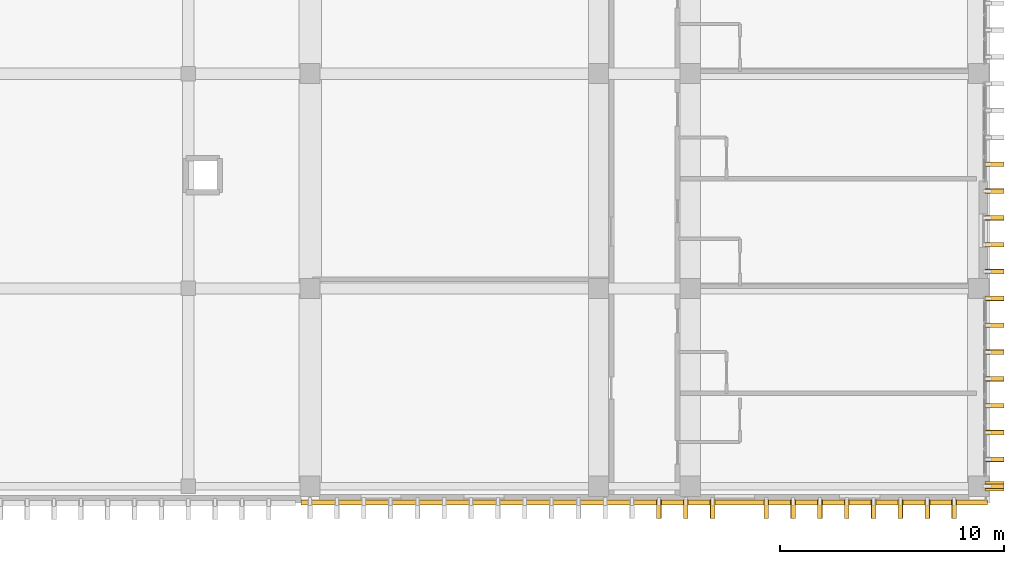
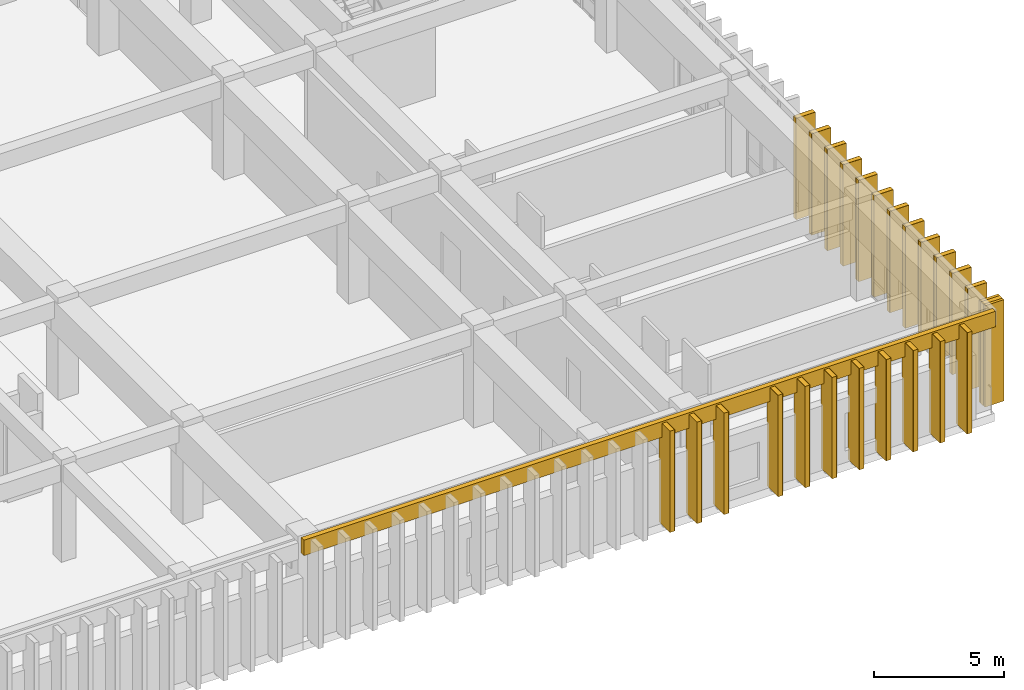
# One storey, part 93 of 101: 25 coverings, 24 shading devices.
"""IFC4 building model written with IfcOpenShell, lengths in metres."""

from ifc_helpers import new_model, si_unit, direction, frame, origin, origin_2d, place, context, subcontext, project, spatial, rectangle, extrude, material, layer, layer_set, type_object, element, save


model = new_model("IFC4")

# Units and contexts
model_context = context("Model", 3, precision=1e-05, world=origin(), true_north=direction((0.0, 1.0)))
body_context = subcontext(model_context, "Body", "Model", "MODEL_VIEW")
ifc_project = project(units=[si_unit("LENGTHUNIT", "METRE"), si_unit("AREAUNIT", "SQUARE_METRE"), si_unit("VOLUMEUNIT", "CUBIC_METRE"), si_unit("PLANEANGLEUNIT", "RADIAN"), si_unit("MASSUNIT", "GRAM", prefix="KILO")], contexts=[model_context])

# Site, building, storey
site_placement = place(None, origin())
site = spatial("IfcSite", under=ifc_project, at=site_placement, CompositionType="ELEMENT")
building_placement = place(site_placement, origin())
building = spatial("IfcBuilding", under=site, at=building_placement, Name="Nakhvara Creek Congress Hotel", CompositionType="ELEMENT")
storey_placement = place(building_placement, frame((0.0, 0.0, 16.199951171875)))
storey = spatial("IfcBuildingStorey", under=building, at=storey_placement, Name="L03", CompositionType="ELEMENT", Elevation=16.199951171875)

# Coverings
ifc_material_1 = material(Name="Honed pale Omani limestone architectural cladding", Category="masonry")
ifc_layer_1 = layer(ifc_material_1, 0.219970703125)
ifc_layer_set_1 = layer_set([ifc_layer_1], Name="Honed pale Omani limestone architectural cladding")
covering_type_1 = type_object("IfcCoveringType", Name="COV-FIN-850", PredefinedType="CLADDING", material=ifc_layer_set_1)
covering_1_placement = place(storey_placement, frame((180.054931640625, 0.75, 0.0), z_axis=(0.0, 0.0, 1.0), x_axis=(0.0, 1.0, 0.0)))
element("IfcCovering", 1, at=covering_1_placement, inside=storey, type_object=covering_type_1, Name="Pale Limestone Fin Cladding CF01-1027", PredefinedType="CLADDING", context=body_context, shape_type="SweptSolid", body=[
    extrude(rectangle(XDim=0.43994140625, YDim=0.85009765625, at=origin_2d()), origin(), (0.0, 0.0, 1.0), 4.760009765625),
])
for number, where, z_axis, x_axis, name in (
    (2, (180.054931640625, 1.949951171875, 0.0), (0.0, 0.0, 1.0), (0.0, 1.0, 0.0), "Pale Limestone Fin Cladding CF01-1028"),
    (3, (180.054931640625, 3.14990234375, 0.0), (0.0, 0.0, 1.0), (0.0, 1.0, 0.0), "Pale Limestone Fin Cladding CF01-1029"),
    (4, (180.054931640625, 4.35009765625, 0.0), (0.0, 0.0, 1.0), (0.0, 1.0, 0.0), "Pale Limestone Fin Cladding CF01-1030"),
    (5, (180.054931640625, 5.550048828125, 0.0), (0.0, 0.0, 1.0), (0.0, 1.0, 0.0), "Pale Limestone Fin Cladding CF01-1031"),
    (6, (180.054931640625, 6.75, 0.0), (0.0, 0.0, 1.0), (0.0, 1.0, 0.0), "Pale Limestone Fin Cladding CF01-1032"),
    (7, (180.054931640625, 7.949951171875, 0.0), (0.0, 0.0, 1.0), (0.0, 1.0, 0.0), "Pale Limestone Fin Cladding CF01-1033"),
    (8, (180.054931640625, 9.14990234375, 0.0), (0.0, 0.0, 1.0), (0.0, 1.0, 0.0), "Pale Limestone Fin Cladding CF01-1034"),
    (9, (180.054931640625, 10.35009765625, 0.0), (0.0, 0.0, 1.0), (0.0, 1.0, 0.0), "Pale Limestone Fin Cladding CF01-1035"),
    (10, (180.054931640625, 11.550048828125, 0.0), (0.0, 0.0, 1.0), (0.0, 1.0, 0.0), "Pale Limestone Fin Cladding CF01-1036"),
    (11, (180.054931640625, 12.75, 0.0), (0.0, 0.0, 1.0), (0.0, 1.0, 0.0), "Pale Limestone Fin Cladding CF01-1037"),
    (12, (180.054931640625, 13.949951171875, 0.0), (0.0, 0.0, 1.0), (0.0, 1.0, 0.0), "Pale Limestone Fin Cladding CF01-1038"),
    (13, (180.054931640625, 15.14990234375, 0.0), (0.0, 0.0, 1.0), (0.0, 1.0, 0.0), "Pale Limestone Fin Cladding CF01-1039"),
    (14, (165.050048828125, -0.264892578125, 0.0), (0.0, 0.0, 1.0), (1.0, 0.0, 0.0), "Pale Limestone Fin Cladding CF01-1180"),
    (15, (166.25, -0.264892578125, 0.0), (0.0, 0.0, 1.0), (1.0, 0.0, 0.0), "Pale Limestone Fin Cladding CF01-1182"),
    (16, (167.449951171875, -0.264892578125, 0.0), (0.0, 0.0, 1.0), (1.0, 0.0, 0.0), "Pale Limestone Fin Cladding CF01-1184"),
    (17, (169.85009765625, -0.264892578125, 0.0), (0.0, 0.0, 1.0), (1.0, 0.0, 0.0), "Pale Limestone Fin Cladding CF01-1187"),
    (18, (171.050048828125, -0.264892578125, 0.0), (0.0, 0.0, 1.0), (1.0, 0.0, 0.0), "Pale Limestone Fin Cladding CF01-1189"),
    (19, (172.25, -0.264892578125, 0.0), (0.0, 0.0, 1.0), (1.0, 0.0, 0.0), "Pale Limestone Fin Cladding CF01-1191"),
    (20, (173.449951171875, -0.264892578125, 0.0), (0.0, 0.0, 1.0), (1.0, 0.0, 0.0), "Pale Limestone Fin Cladding CF01-1193"),
    (21, (174.64990234375, -0.264892578125, 0.0), (0.0, 0.0, 1.0), (1.0, 0.0, 0.0), "Pale Limestone Fin Cladding CF01-1195"),
    (22, (175.85009765625, -0.264892578125, 0.0), (0.0, 0.0, 1.0), (1.0, 0.0, 0.0), "Pale Limestone Fin Cladding CF01-1196"),
    (23, (177.050048828125, -0.264892578125, 0.0), (0.0, 0.0, 1.0), (1.0, 0.0, 0.0), "Pale Limestone Fin Cladding CF01-1198"),
    (24, (178.25, -0.264892578125, 0.0), (0.0, 0.0, 1.0), (1.0, 0.0, 0.0), "Pale Limestone Fin Cladding CF01-1200"),
):
    element("IfcCovering", number, at=place(storey_placement, frame(where, z_axis=z_axis, x_axis=x_axis)), inside=storey, type_object=covering_type_1, Name=name, PredefinedType="CLADDING", context=body_context, shape_type="SweptSolid", body=[
        extrude(rectangle(XDim=0.219970703125, YDim=0.85009765625, at=origin_2d()), origin(), (0.0, 0.0, 1.0), 4.760009765625),
    ])
ifc_layer_2 = layer(ifc_material_1, 0.179931640625)
ifc_layer_set_2 = layer_set([ifc_layer_2], Name="Honed pale Omani limestone architectural cladding")
covering_type_2 = type_object("IfcCoveringType", Name="COV-SPN-180", PredefinedType="CLADDING", material=ifc_layer_set_2)
covering_2_placement = place(storey_placement, frame((164.39990234375, 0.030029296875, 4.110107421875), z_axis=(0.0, 0.0, 1.0), x_axis=(1.0, 0.0, 0.0)))
element("IfcCovering", 25, at=covering_2_placement, inside=storey, type_object=covering_type_2, Name="Pale Limestone Spandrel Band CF02-0056", PredefinedType="CLADDING", context=body_context, shape_type="SweptSolid", body=[
    extrude(rectangle(XDim=30.699951171875, YDim=0.219970703125, at=origin_2d()), origin(), (0.0, 0.0, 1.0), 0.72998046875),
])

# Shading devices
ifc_material_2 = material(Name="Honed pale Omani limestone cladding on stainless steel spine", Category="masonry")
shading_device_type = type_object("IfcShadingDeviceType", Name="SHD-FIN-850X4700", PredefinedType="USERDEFINED", material=ifc_material_2)
for number, where, z_axis, x_axis, name in (
    (26, (180.054931640625, 0.75, 0.0), (0.0, 0.0, 1.0), (0.0, 1.0, 0.0), "Limestone Solar Fin FN02-0892"),
    (27, (180.054931640625, 1.949951171875, 0.0), (0.0, 0.0, 1.0), (0.0, 1.0, 0.0), "Limestone Solar Fin FN02-0893"),
    (28, (180.054931640625, 3.14990234375, 0.0), (0.0, 0.0, 1.0), (0.0, 1.0, 0.0), "Limestone Solar Fin FN02-0894"),
    (29, (180.054931640625, 4.35009765625, 0.0), (0.0, 0.0, 1.0), (0.0, 1.0, 0.0), "Limestone Solar Fin FN02-0895"),
    (30, (180.054931640625, 5.550048828125, 0.0), (0.0, 0.0, 1.0), (0.0, 1.0, 0.0), "Limestone Solar Fin FN02-0896"),
    (31, (180.054931640625, 6.75, 0.0), (0.0, 0.0, 1.0), (0.0, 1.0, 0.0), "Limestone Solar Fin FN02-0897"),
    (32, (180.054931640625, 7.949951171875, 0.0), (0.0, 0.0, 1.0), (0.0, 1.0, 0.0), "Limestone Solar Fin FN02-0898"),
    (33, (180.054931640625, 9.14990234375, 0.0), (0.0, 0.0, 1.0), (0.0, 1.0, 0.0), "Limestone Solar Fin FN02-0899"),
    (34, (180.054931640625, 10.35009765625, 0.0), (0.0, 0.0, 1.0), (0.0, 1.0, 0.0), "Limestone Solar Fin FN02-0900"),
    (35, (180.054931640625, 11.550048828125, 0.0), (0.0, 0.0, 1.0), (0.0, 1.0, 0.0), "Limestone Solar Fin FN02-0901"),
    (36, (180.054931640625, 12.75, 0.0), (0.0, 0.0, 1.0), (0.0, 1.0, 0.0), "Limestone Solar Fin FN02-0902"),
    (37, (180.054931640625, 13.949951171875, 0.0), (0.0, 0.0, 1.0), (0.0, 1.0, 0.0), "Limestone Solar Fin FN02-0903"),
    (38, (180.054931640625, 15.14990234375, 0.0), (0.0, 0.0, 1.0), (0.0, 1.0, 0.0), "Limestone Solar Fin FN02-0904"),
    (39, (165.050048828125, -0.264892578125, 0.0), (0.0, 0.0, 1.0), (1.0, 0.0, 0.0), "Limestone Solar Fin FN02-1045"),
    (40, (166.25, -0.264892578125, 0.0), (0.0, 0.0, 1.0), (1.0, 0.0, 0.0), "Limestone Solar Fin FN02-1047"),
    (41, (167.449951171875, -0.264892578125, 0.0), (0.0, 0.0, 1.0), (1.0, 0.0, 0.0), "Limestone Solar Fin FN02-1049"),
    (42, (169.85009765625, -0.264892578125, 0.0), (0.0, 0.0, 1.0), (1.0, 0.0, 0.0), "Limestone Solar Fin FN02-1052"),
    (43, (171.050048828125, -0.264892578125, 0.0), (0.0, 0.0, 1.0), (1.0, 0.0, 0.0), "Limestone Solar Fin FN02-1054"),
    (44, (172.25, -0.264892578125, 0.0), (0.0, 0.0, 1.0), (1.0, 0.0, 0.0), "Limestone Solar Fin FN02-1056"),
    (45, (173.449951171875, -0.264892578125, 0.0), (0.0, 0.0, 1.0), (1.0, 0.0, 0.0), "Limestone Solar Fin FN02-1058"),
    (46, (174.64990234375, -0.264892578125, 0.0), (0.0, 0.0, 1.0), (1.0, 0.0, 0.0), "Limestone Solar Fin FN02-1060"),
    (47, (175.85009765625, -0.264892578125, 0.0), (0.0, 0.0, 1.0), (1.0, 0.0, 0.0), "Limestone Solar Fin FN02-1061"),
    (48, (177.050048828125, -0.264892578125, 0.0), (0.0, 0.0, 1.0), (1.0, 0.0, 0.0), "Limestone Solar Fin FN02-1063"),
    (49, (178.25, -0.264892578125, 0.0), (0.0, 0.0, 1.0), (1.0, 0.0, 0.0), "Limestone Solar Fin FN02-1065"),
):
    element("IfcShadingDevice", number, at=place(storey_placement, frame(where, z_axis=z_axis, x_axis=x_axis)), inside=storey, type_object=shading_device_type, Name=name, ObjectType="FIN", PredefinedType="USERDEFINED", context=body_context, shape_type="SweptSolid", body=[
        extrude(rectangle(XDim=0.199951171875, YDim=0.85009765625, at=origin_2d()), origin(), (0.0, 0.0, 1.0), 4.760009765625),
    ])

save(model, "model.ifc")
